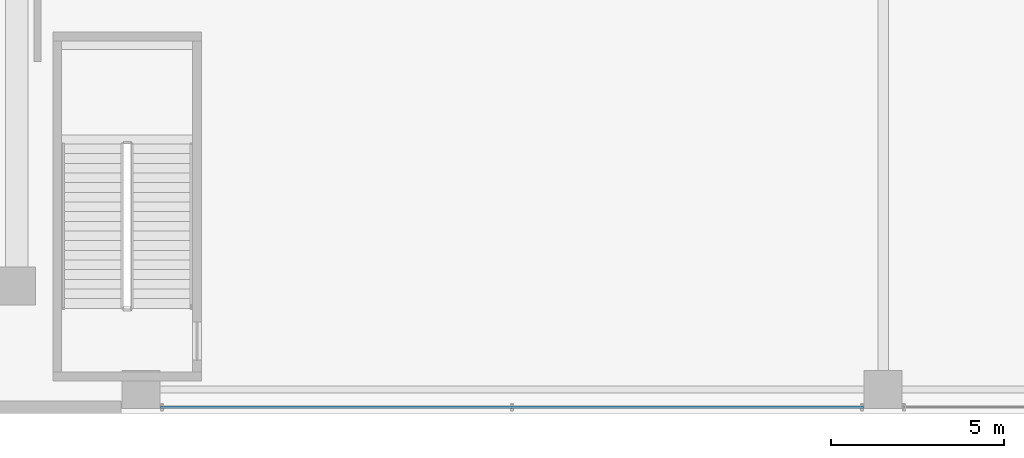
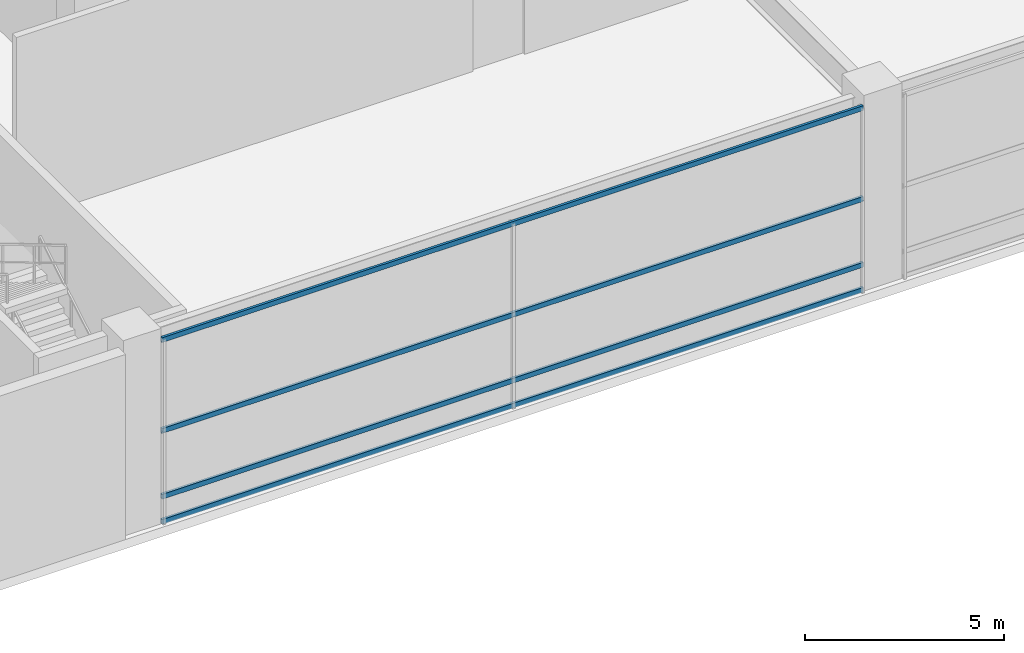
# One storey, part 8 of 39: 4 members, 1 element without a shape of its own.
"""IFC4 building model written with IfcOpenShell, lengths in metres."""

from ifc_helpers import new_model, si_unit, direction, frame, origin, origin_2d, place, context, subcontext, project, spatial, hollow_rectangle, extrude, source, transform, mapped, material, layer, layer_set, material_profile, profile_set, type_object, element, aggregate, save


model = new_model("IFC4")

# Units and contexts
model_context = context("Model", 3, precision=1e-05, world=origin(), true_north=direction((0.0, 1.0)))
body_context = subcontext(model_context, "Body", "Model", "MODEL_VIEW")
ifc_project = project(units=[si_unit("LENGTHUNIT", "METRE"), si_unit("AREAUNIT", "SQUARE_METRE"), si_unit("VOLUMEUNIT", "CUBIC_METRE"), si_unit("PLANEANGLEUNIT", "RADIAN"), si_unit("MASSUNIT", "GRAM", prefix="KILO"), si_unit("THERMODYNAMICTEMPERATUREUNIT", "KELVIN"), si_unit("POWERUNIT", "WATT")], contexts=[model_context])

# Site, building, storey
site_placement = place(None, origin())
site = spatial("IfcSite", under=ifc_project, at=site_placement, CompositionType="ELEMENT")
building_placement = place(site_placement, origin())
building = spatial("IfcBuilding", under=site, at=building_placement, Name="Yuzanri Waterfront Tower", CompositionType="ELEMENT")
storey_placement = place(building_placement, frame((0.0, 0.0, 19.800048828125)))
storey = spatial("IfcBuildingStorey", under=building, at=storey_placement, Name="L05", CompositionType="ELEMENT", Elevation=19.800048828125)

# Curtain wall, members
ifc_material_1 = material(Name="Anodized Architectural Bronze", Category="metal")
ifc_layer = layer(ifc_material_1, 0.159912109375)
ifc_layer_set = layer_set([ifc_layer], Name="Anodized Architectural Bronze")
curtain_wall_type = type_object("IfcCurtainWallType", Name="Anodized Bronze Podium Waterfront Double-Height Unitized Curtain Wall 8400", PredefinedType="NOTDEFINED", material=ifc_layer_set)
curtain_wall_placement = place(storey_placement, origin())
curtain_wall = element("IfcCurtainWall", 1, at=curtain_wall_placement, inside=storey, type_object=curtain_wall_type, Name="L05 Curtain Wall CW-L05-S1", PredefinedType="NOTDEFINED")
ifc_material_2 = material(Name="Anodized Architectural Bronze", Category="metal")
ifc_material_profile = material_profile(ifc_material_2, hollow_rectangle(XDim=0.074951171875, YDim=0.14990234375, WallThickness=0.00390625, at=origin_2d()), Name="CWT 75x150")
ifc_profile_set = profile_set([ifc_material_profile], Name="Anodized Architectural Bronze")
member_type = type_object("IfcMemberType", Name="Anodized Bronze Primary Curtain-Wall Transom 75x150", PredefinedType="USERDEFINED", material=ifc_profile_set)
shared_shape = source(origin(), body_context, "Body", "SweptSolid", [
    extrude(hollow_rectangle(XDim=0.074951171875, YDim=0.14990234375, WallThickness=0.00390625, at=origin_2d()), origin(), (0.0, 0.0, 1.0), 20.35986328125),
])
member_1_placement = place(storey_placement, frame((16.070068359375, 1.97998046875, 0.050048828125), z_axis=(1.0, 0.0, 0.0), x_axis=(0.0, 1.0, 0.0)))
member_1 = element("IfcMember", 2, at=member_1_placement, type_object=member_type, Name="CW-L05-S1 Transom 1", ObjectType="TRANSOM", PredefinedType="USERDEFINED", context=body_context, shape_type="MappedRepresentation", body=[
    mapped(shared_shape, transform((0.0, 0.0, 0.0), scale=1.0)),
])
member_2_placement = place(storey_placement, frame((16.070068359375, 1.97998046875, 0.820068359375), z_axis=(1.0, 0.0, 0.0), x_axis=(0.0, 1.0, 0.0)))
member_2 = element("IfcMember", 3, at=member_2_placement, type_object=member_type, Name="CW-L05-S1 Transom 2", ObjectType="TRANSOM", PredefinedType="USERDEFINED", context=body_context, shape_type="MappedRepresentation", body=[
    mapped(shared_shape, transform((0.0, 0.0, 0.0), scale=1.0)),
])
member_3_placement = place(storey_placement, frame((16.070068359375, 1.97998046875, 2.83984375), z_axis=(1.0, 0.0, 0.0), x_axis=(0.0, 1.0, 0.0)))
member_3 = element("IfcMember", 4, at=member_3_placement, type_object=member_type, Name="CW-L05-S1 Transom 3", ObjectType="TRANSOM", PredefinedType="USERDEFINED", context=body_context, shape_type="MappedRepresentation", body=[
    mapped(shared_shape, transform((0.0, 0.0, 0.0), scale=1.0)),
])
member_4_placement = place(storey_placement, frame((16.070068359375, 1.97998046875, 5.6298828125), z_axis=(1.0, 0.0, 0.0), x_axis=(0.0, 1.0, 0.0)))
member_4 = element("IfcMember", 5, at=member_4_placement, type_object=member_type, Name="CW-L05-S1 Transom 4", ObjectType="TRANSOM", PredefinedType="USERDEFINED", context=body_context, shape_type="MappedRepresentation", body=[
    mapped(shared_shape, transform((0.0, 0.0, 0.0), scale=1.0)),
])
aggregate(curtain_wall, [member_1, member_2, member_3, member_4])

save(model, "model.ifc")
